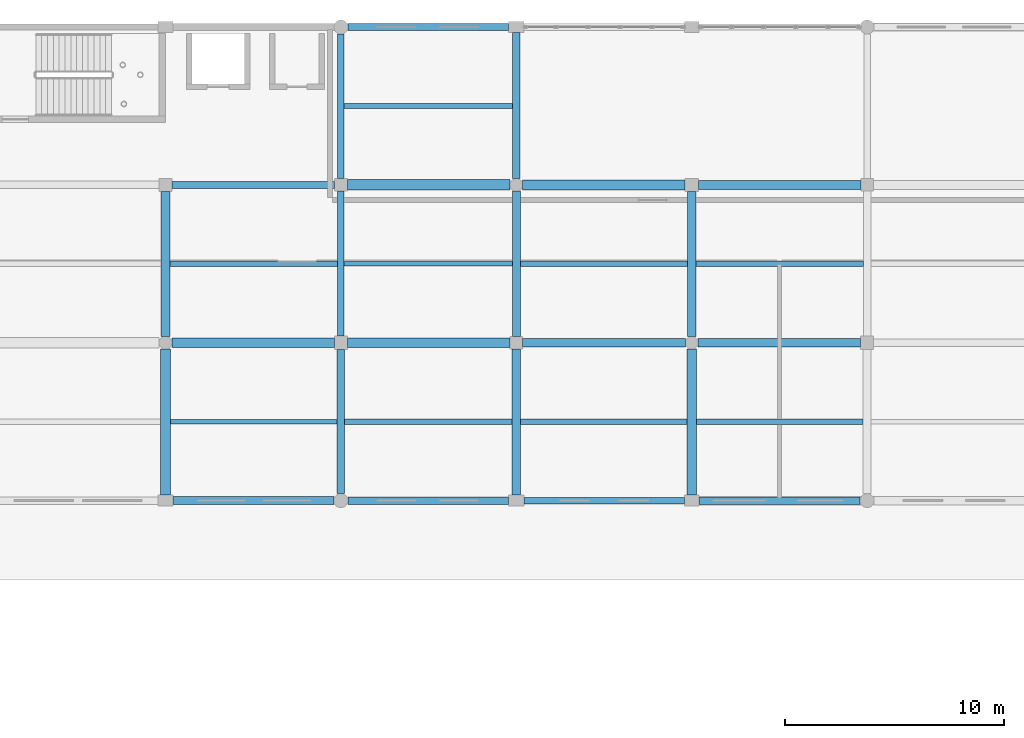
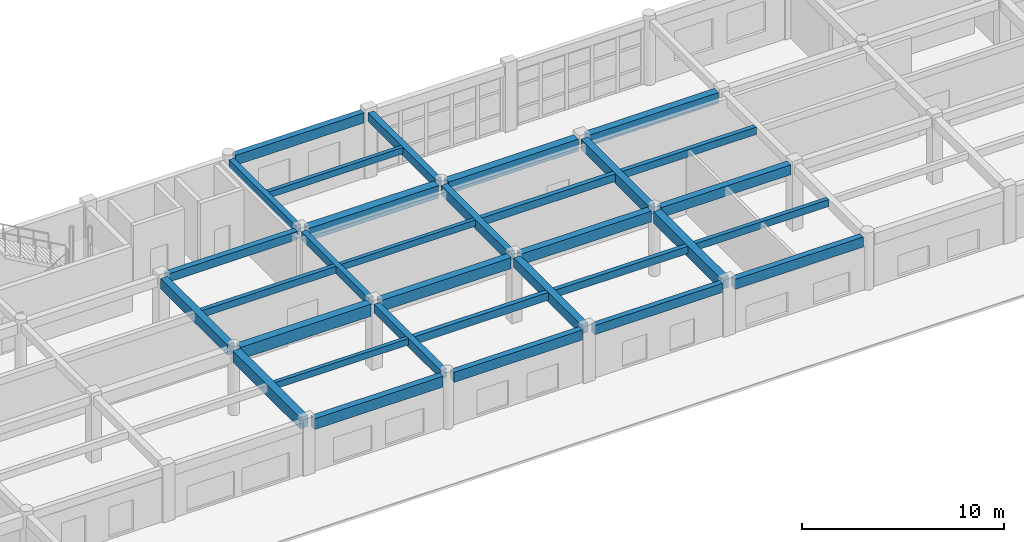
# One storey, part 60 of 121: 32 beams.
"""IFC4 building model written with IfcOpenShell, lengths in metres."""

from ifc_helpers import new_model, si_unit, direction, frame, origin, origin_2d, place, context, subcontext, project, spatial, rectangle, extrude, material, material_profile, profile_set, type_object, element, save


model = new_model("IFC4")

# Units and contexts
model_context = context("Model", 3, precision=1e-05, world=origin(), true_north=direction((0.0, 1.0)))
body_context = subcontext(model_context, "Body", "Model", "MODEL_VIEW")
ifc_project = project(units=[si_unit("LENGTHUNIT", "METRE"), si_unit("AREAUNIT", "SQUARE_METRE"), si_unit("VOLUMEUNIT", "CUBIC_METRE"), si_unit("PLANEANGLEUNIT", "RADIAN"), si_unit("MASSUNIT", "GRAM", prefix="KILO")], contexts=[model_context])

# Site, building, storey
site_placement = place(None, origin())
site = spatial("IfcSite", under=ifc_project, at=site_placement, CompositionType="ELEMENT")
building_placement = place(site_placement, origin())
building = spatial("IfcBuilding", under=site, at=building_placement, Name="Kharva Crest Polytechnic", CompositionType="ELEMENT")
storey_placement = place(building_placement, frame((0.0, 0.0, 13.199951171875)))
storey = spatial("IfcBuildingStorey", under=building, at=storey_placement, Name="L03", CompositionType="ELEMENT", Elevation=13.199951171875)

# Beams
ifc_material = material(Name="Concrete C35/45", Category="concrete")
ifc_material_profile_1 = material_profile(ifc_material, rectangle(XDim=0.300048828125, YDim=0.449951171875, at=origin_2d()), Name="RECT 300 X 450")
ifc_profile_set_1 = profile_set([ifc_material_profile_1], Name="Concrete C35/45")
beam_type_1 = type_object("IfcBeamType", Name="BM-RC-300X450", PredefinedType="BEAM", material=ifc_profile_set_1)
beam_1_placement = place(storey_placement, frame((72.0, 115.090087890625, 3.735107421875), z_axis=(0.0, 1.0, 0.0), x_axis=(-1.0, 0.0, 0.0)))
element("IfcBeam", 1, at=beam_1_placement, inside=storey, type_object=beam_type_1, Name="L03 Girder 10/R-S", PredefinedType="BEAM", context=body_context, shape_type="SweptSolid", body=[
    extrude(rectangle(XDim=0.300048828125, YDim=0.449951171875, at=origin_2d()), origin(), (0.0, 0.0, 1.0), 6.58984375),
])
ifc_material_profile_2 = material_profile(ifc_material, rectangle(XDim=0.300048828125, YDim=0.47998046875, at=origin_2d()), Name="RECT 300 X 480")
ifc_profile_set_2 = profile_set([ifc_material_profile_2], Name="Concrete C35/45")
beam_type_2 = type_object("IfcBeamType", Name="BM-RC-300X480", PredefinedType="BEAM", material=ifc_profile_set_2)
beam_2_placement = place(storey_placement, frame((72.0, 107.89990234375, 3.719970703125), z_axis=(0.0, 1.0, 0.0), x_axis=(-1.0, 0.0, 0.0)))
element("IfcBeam", 2, at=beam_2_placement, inside=storey, type_object=beam_type_2, Name="L03 Girder 10/Q-R", PredefinedType="BEAM", context=body_context, shape_type="SweptSolid", body=[
    extrude(rectangle(XDim=0.300048828125, YDim=0.47998046875, at=origin_2d()), origin(), (0.0, 0.0, 1.0), 6.610107421875),
])
ifc_material_profile_3 = material_profile(ifc_material, rectangle(XDim=0.320068359375, YDim=0.5, at=origin_2d()), Name="RECT 320 X 500")
ifc_profile_set_3 = profile_set([ifc_material_profile_3], Name="Concrete C35/45")
beam_type_3 = type_object("IfcBeamType", Name="BM-RC-320X500", PredefinedType="BEAM", material=ifc_profile_set_3)
beam_3_placement = place(storey_placement, frame((64.300048828125, 114.800048828125, 3.7099609375), z_axis=(1.0, 0.0, 0.0), x_axis=(0.0, 1.0, 0.0)))
element("IfcBeam", 3, at=beam_3_placement, inside=storey, type_object=beam_type_3, Name="L03 Beam R/9-10", PredefinedType="BEAM", context=body_context, shape_type="SweptSolid", body=[
    extrude(rectangle(XDim=0.320068359375, YDim=0.5, at=origin_2d()), origin(), (0.0, 0.0, 1.0), 7.409912109375),
])
ifc_material_profile_4 = material_profile(ifc_material, rectangle(XDim=0.340087890625, YDim=0.52001953125, at=origin_2d()), Name="RECT 340 X 520")
ifc_profile_set_4 = profile_set([ifc_material_profile_4], Name="Concrete C35/45")
beam_type_4 = type_object("IfcBeamType", Name="BM-RC-340X520", PredefinedType="BEAM", material=ifc_profile_set_4)
beam_4_placement = place(storey_placement, frame((72.0, 100.719970703125, 3.699951171875), z_axis=(0.0, 1.0, 0.0), x_axis=(-1.0, 0.0, 0.0)))
element("IfcBeam", 4, at=beam_4_placement, inside=storey, type_object=beam_type_4, Name="L03 Girder 10/P-Q", PredefinedType="BEAM", context=body_context, shape_type="SweptSolid", body=[
    extrude(rectangle(XDim=0.340087890625, YDim=0.52001953125, at=origin_2d()), origin(), (0.0, 0.0, 1.0), 6.580078125),
])
beam_5_placement = place(storey_placement, frame((80.0, 115.090087890625, 3.699951171875), z_axis=(0.0, 1.0, 0.0), x_axis=(-1.0, 0.0, 0.0)))
element("IfcBeam", 5, at=beam_5_placement, inside=storey, type_object=beam_type_4, Name="L03 Girder 11/R-S", PredefinedType="BEAM", context=body_context, shape_type="SweptSolid", body=[
    extrude(rectangle(XDim=0.340087890625, YDim=0.52001953125, at=origin_2d()), origin(), (0.0, 0.0, 1.0), 6.659912109375),
])
ifc_material_profile_5 = material_profile(ifc_material, rectangle(XDim=0.360107421875, YDim=0.580078125, at=origin_2d()), Name="RECT 360 X 580")
ifc_profile_set_5 = profile_set([ifc_material_profile_5], Name="Concrete C35/45")
beam_type_5 = type_object("IfcBeamType", Name="BM-RC-360X580", PredefinedType="BEAM", material=ifc_profile_set_5)
beam_6_placement = place(storey_placement, frame((80.0, 107.889892578125, 3.670166015625), z_axis=(0.0, 1.0, 0.0), x_axis=(-1.0, 0.0, 0.0)))
element("IfcBeam", 6, at=beam_6_placement, inside=storey, type_object=beam_type_5, Name="L03 Girder 11/Q-R", PredefinedType="BEAM", context=body_context, shape_type="SweptSolid", body=[
    extrude(rectangle(XDim=0.360107421875, YDim=0.580078125, at=origin_2d()), origin(), (0.0, 0.0, 1.0), 6.6201171875),
])
ifc_material_profile_6 = material_profile(ifc_material, rectangle(XDim=0.3798828125, YDim=0.60009765625, at=origin_2d()), Name="RECT 380 X 600")
ifc_profile_set_6 = profile_set([ifc_material_profile_6], Name="Concrete C35/45")
beam_type_6 = type_object("IfcBeamType", Name="BM-RC-380X600", PredefinedType="BEAM", material=ifc_profile_set_6)
beam_7_placement = place(storey_placement, frame((88.2900390625, 107.60009765625, 3.66015625), z_axis=(1.0, 0.0, 0.0), x_axis=(0.0, 1.0, 0.0)))
element("IfcBeam", 7, at=beam_7_placement, inside=storey, type_object=beam_type_6, Name="L03 Beam Q/12-13", PredefinedType="BEAM", context=body_context, shape_type="SweptSolid", body=[
    extrude(rectangle(XDim=0.3798828125, YDim=0.60009765625, at=origin_2d()), origin(), (0.0, 0.0, 1.0), 7.409912109375),
])
ifc_material_profile_7 = material_profile(ifc_material, rectangle(XDim=0.39990234375, YDim=0.580078125, at=origin_2d()), Name="RECT 400 X 580")
ifc_profile_set_7 = profile_set([ifc_material_profile_7], Name="Concrete C35/45")
beam_type_7 = type_object("IfcBeamType", Name="BM-RC-400X580", PredefinedType="BEAM", material=ifc_profile_set_7)
beam_8_placement = place(storey_placement, frame((80.0, 100.64990234375, 3.670166015625), z_axis=(0.0, 1.0, 0.0), x_axis=(-1.0, 0.0, 0.0)))
element("IfcBeam", 8, at=beam_8_placement, inside=storey, type_object=beam_type_7, Name="L03 Girder 11/P-Q", PredefinedType="BEAM", context=body_context, shape_type="SweptSolid", body=[
    extrude(rectangle(XDim=0.39990234375, YDim=0.580078125, at=origin_2d()), origin(), (0.0, 0.0, 1.0), 6.66015625),
])
ifc_material_profile_8 = material_profile(ifc_material, rectangle(XDim=0.39990234375, YDim=0.6201171875, at=origin_2d()), Name="RECT 400 X 620")
ifc_profile_set_8 = profile_set([ifc_material_profile_8], Name="Concrete C35/45")
beam_type_8 = type_object("IfcBeamType", Name="BM-RC-400X620", PredefinedType="BEAM", material=ifc_profile_set_8)
for number, where, z_axis, x_axis, name in (
    (9, (64.0, 107.889892578125, 3.650146484375), (0.0, 1.0, 0.0), (-1.0, 0.0, 0.0), "L03 Girder 9/Q-R"),
    (10, (88.0, 107.889892578125, 3.650146484375), (0.0, 1.0, 0.0), (-1.0, 0.0, 0.0), "L03 Girder 12/Q-R"),
):
    element("IfcBeam", number, at=place(storey_placement, frame(where, z_axis=z_axis, x_axis=x_axis)), inside=storey, type_object=beam_type_8, Name=name, PredefinedType="BEAM", context=body_context, shape_type="SweptSolid", body=[
        extrude(rectangle(XDim=0.39990234375, YDim=0.6201171875, at=origin_2d()), origin(), (0.0, 0.0, 1.0), 6.610107421875),
    ])
ifc_material_profile_9 = material_profile(ifc_material, rectangle(XDim=0.39990234375, YDim=0.64990234375, at=origin_2d()), Name="RECT 400 X 650")
ifc_profile_set_9 = profile_set([ifc_material_profile_9], Name="Concrete C35/45")
beam_type_9 = type_object("IfcBeamType", Name="BM-RC-400X650", PredefinedType="BEAM", material=ifc_profile_set_9)
beam_9_placement = place(storey_placement, frame((80.2900390625, 107.60009765625, 3.635009765625), z_axis=(1.0, 0.0, 0.0), x_axis=(0.0, 1.0, 0.0)))
element("IfcBeam", 11, at=beam_9_placement, inside=storey, type_object=beam_type_9, Name="L03 Beam Q/11-12", PredefinedType="BEAM", context=body_context, shape_type="SweptSolid", body=[
    extrude(rectangle(XDim=0.39990234375, YDim=0.64990234375, at=origin_2d()), origin(), (0.0, 0.0, 1.0), 7.419921875),
])
ifc_material_profile_10 = material_profile(ifc_material, rectangle(XDim=0.419921875, YDim=0.659912109375, at=origin_2d()), Name="RECT 420 X 660")
ifc_profile_set_10 = profile_set([ifc_material_profile_10], Name="Concrete C35/45")
beam_type_10 = type_object("IfcBeamType", Name="BM-RC-420X660", PredefinedType="BEAM", material=ifc_profile_set_10)
for number, where, z_axis, x_axis, name in (
    (12, (72.300048828125, 107.60009765625, 3.630126953125), (1.0, 0.0, 0.0), (0.0, 1.0, 0.0), "L03 Beam Q/10-11"),
    (13, (88.300048828125, 114.800048828125, 3.630126953125), (1.0, 0.0, 0.0), (0.0, 1.0, 0.0), "L03 Beam R/12-13"),
):
    element("IfcBeam", number, at=place(storey_placement, frame(where, z_axis=z_axis, x_axis=x_axis)), inside=storey, type_object=beam_type_10, Name=name, PredefinedType="BEAM", context=body_context, shape_type="SweptSolid", body=[
        extrude(rectangle(XDim=0.419921875, YDim=0.659912109375, at=origin_2d()), origin(), (0.0, 0.0, 1.0), 7.409912109375),
    ])
ifc_material_profile_11 = material_profile(ifc_material, rectangle(XDim=0.449951171875, YDim=0.679931640625, at=origin_2d()), Name="RECT 450 X 680")
ifc_profile_set_11 = profile_set([ifc_material_profile_11], Name="Concrete C35/45")
beam_type_11 = type_object("IfcBeamType", Name="BM-RC-450X680", PredefinedType="BEAM", material=ifc_profile_set_11)
for number, where, z_axis, x_axis, name in (
    (14, (64.0, 100.64990234375, 3.6201171875), (0.0, 1.0, 0.0), (-1.0, 0.0, 0.0), "L03 Girder 9/P-Q"),
    (15, (88.0, 100.64990234375, 3.6201171875), (0.0, 1.0, 0.0), (-1.0, 0.0, 0.0), "L03 Girder 12/P-Q"),
):
    element("IfcBeam", number, at=place(storey_placement, frame(where, z_axis=z_axis, x_axis=x_axis)), inside=storey, type_object=beam_type_11, Name=name, PredefinedType="BEAM", context=body_context, shape_type="SweptSolid", body=[
        extrude(rectangle(XDim=0.449951171875, YDim=0.679931640625, at=origin_2d()), origin(), (0.0, 0.0, 1.0), 6.66015625),
    ])
ifc_material_profile_12 = material_profile(ifc_material, rectangle(XDim=0.449951171875, YDim=0.719970703125, at=origin_2d()), Name="RECT 450 X 720")
ifc_profile_set_12 = profile_set([ifc_material_profile_12], Name="Concrete C35/45")
beam_type_12 = type_object("IfcBeamType", Name="BM-RC-450X720", PredefinedType="BEAM", material=ifc_profile_set_12)
for number, where, z_axis, x_axis, name in (
    (16, (64.2900390625, 107.60009765625, 3.60009765625), (1.0, 0.0, 0.0), (0.0, 1.0, 0.0), "L03 Beam Q/9-10"),
    (17, (80.2900390625, 114.800048828125, 3.60009765625), (1.0, 0.0, 0.0), (0.0, 1.0, 0.0), "L03 Beam R/11-12"),
):
    element("IfcBeam", number, at=place(storey_placement, frame(where, z_axis=z_axis, x_axis=x_axis)), inside=storey, type_object=beam_type_12, Name=name, PredefinedType="BEAM", context=body_context, shape_type="SweptSolid", body=[
        extrude(rectangle(XDim=0.449951171875, YDim=0.719970703125, at=origin_2d()), origin(), (0.0, 0.0, 1.0), 7.409912109375),
    ])
ifc_material_profile_13 = material_profile(ifc_material, rectangle(XDim=0.47998046875, YDim=0.75, at=origin_2d()), Name="RECT 480 X 750")
ifc_profile_set_13 = profile_set([ifc_material_profile_13], Name="Concrete C35/45")
beam_type_13 = type_object("IfcBeamType", Name="BM-RC-480X750", PredefinedType="BEAM", material=ifc_profile_set_13)
beam_10_placement = place(storey_placement, frame((72.2900390625, 114.800048828125, 3.5849609375), z_axis=(1.0, 0.0, 0.0), x_axis=(0.0, 1.0, 0.0)))
element("IfcBeam", 18, at=beam_10_placement, inside=storey, type_object=beam_type_13, Name="L03 Beam R/10-11", PredefinedType="BEAM", context=body_context, shape_type="SweptSolid", body=[
    extrude(rectangle(XDim=0.47998046875, YDim=0.75, at=origin_2d()), origin(), (0.0, 0.0, 1.0), 7.419921875),
])
ifc_material_profile_14 = material_profile(ifc_material, rectangle(XDim=0.219970703125, YDim=0.3798828125, at=origin_2d()), Name="RECT 220 X 380")
ifc_profile_set_14 = profile_set([ifc_material_profile_14], Name="Concrete C35/45")
beam_type_14 = type_object("IfcBeamType", Name="JS-RC-220X380", PredefinedType="JOIST", material=ifc_profile_set_14)
beam_11_placement = place(storey_placement, frame((64.22509765625, 104.0, 3.77001953125), z_axis=(1.0, 0.0, 0.0), x_axis=(0.0, 1.0, 0.0)))
element("IfcBeam", 19, at=beam_11_placement, inside=storey, type_object=beam_type_14, Name="L03 Floor Joist 19", PredefinedType="JOIST", context=body_context, shape_type="SweptSolid", body=[
    extrude(rectangle(XDim=0.219970703125, YDim=0.3798828125, at=origin_2d()), origin(), (0.0, 0.0, 1.0), 7.60498046875),
])
beam_12_placement = place(storey_placement, frame((72.14990234375, 111.199951171875, 3.77001953125), z_axis=(1.0, 0.0, 0.0), x_axis=(0.0, 1.0, 0.0)))
element("IfcBeam", 20, at=beam_12_placement, inside=storey, type_object=beam_type_14, Name="L03 Floor Joist 39", PredefinedType="JOIST", context=body_context, shape_type="SweptSolid", body=[
    extrude(rectangle(XDim=0.219970703125, YDim=0.3798828125, at=origin_2d()), origin(), (0.0, 0.0, 1.0), 7.670166015625),
])
beam_13_placement = place(storey_placement, frame((72.14990234375, 118.39990234375, 3.77001953125), z_axis=(1.0, 0.0, 0.0), x_axis=(0.0, 1.0, 0.0)))
element("IfcBeam", 21, at=beam_13_placement, inside=storey, type_object=beam_type_14, Name="L03 Floor Joist 55", PredefinedType="JOIST", context=body_context, shape_type="SweptSolid", body=[
    extrude(rectangle(XDim=0.219970703125, YDim=0.3798828125, at=origin_2d()), origin(), (0.0, 0.0, 1.0), 7.68017578125),
])
ifc_material_profile_15 = material_profile(ifc_material, rectangle(XDim=0.239990234375, YDim=0.419921875, at=origin_2d()), Name="RECT 240 X 420")
ifc_profile_set_15 = profile_set([ifc_material_profile_15], Name="Concrete C35/45")
beam_type_15 = type_object("IfcBeamType", Name="JS-RC-240X420", PredefinedType="JOIST", material=ifc_profile_set_15)
beam_14_placement = place(storey_placement, frame((88.22509765625, 104.0, 3.75), z_axis=(1.0, 0.0, 0.0), x_axis=(0.0, 1.0, 0.0)))
element("IfcBeam", 22, at=beam_14_placement, inside=storey, type_object=beam_type_15, Name="L03 Floor Joist 22", PredefinedType="JOIST", context=body_context, shape_type="SweptSolid", body=[
    extrude(rectangle(XDim=0.239990234375, YDim=0.419921875, at=origin_2d()), origin(), (0.0, 0.0, 1.0), 7.594970703125),
])
beam_15_placement = place(storey_placement, frame((64.199951171875, 111.199951171875, 3.75), z_axis=(1.0, 0.0, 0.0), x_axis=(0.0, 1.0, 0.0)))
element("IfcBeam", 23, at=beam_15_placement, inside=storey, type_object=beam_type_15, Name="L03 Floor Joist 38", PredefinedType="JOIST", context=body_context, shape_type="SweptSolid", body=[
    extrude(rectangle(XDim=0.239990234375, YDim=0.419921875, at=origin_2d()), origin(), (0.0, 0.0, 1.0), 7.650146484375),
])
ifc_material_profile_16 = material_profile(ifc_material, rectangle(XDim=0.25, YDim=0.43994140625, at=origin_2d()), Name="RECT 250 X 440")
ifc_profile_set_16 = profile_set([ifc_material_profile_16], Name="Concrete C35/45")
beam_type_16 = type_object("IfcBeamType", Name="JS-RC-250X440", PredefinedType="JOIST", material=ifc_profile_set_16)
beam_16_placement = place(storey_placement, frame((80.199951171875, 104.0, 3.739990234375), z_axis=(1.0, 0.0, 0.0), x_axis=(0.0, 1.0, 0.0)))
element("IfcBeam", 24, at=beam_16_placement, inside=storey, type_object=beam_type_16, Name="L03 Floor Joist 21", PredefinedType="JOIST", context=body_context, shape_type="SweptSolid", body=[
    extrude(rectangle(XDim=0.25, YDim=0.43994140625, at=origin_2d()), origin(), (0.0, 0.0, 1.0), 7.574951171875),
])
beam_17_placement = place(storey_placement, frame((88.199951171875, 111.199951171875, 3.739990234375), z_axis=(1.0, 0.0, 0.0), x_axis=(0.0, 1.0, 0.0)))
element("IfcBeam", 25, at=beam_17_placement, inside=storey, type_object=beam_type_16, Name="L03 Floor Joist 41", PredefinedType="JOIST", context=body_context, shape_type="SweptSolid", body=[
    extrude(rectangle(XDim=0.25, YDim=0.43994140625, at=origin_2d()), origin(), (0.0, 0.0, 1.0), 7.630126953125),
])
ifc_material_profile_17 = material_profile(ifc_material, rectangle(XDim=0.260009765625, YDim=0.4599609375, at=origin_2d()), Name="RECT 260 X 460")
ifc_profile_set_17 = profile_set([ifc_material_profile_17], Name="Concrete C35/45")
beam_type_17 = type_object("IfcBeamType", Name="JS-RC-260X460", PredefinedType="JOIST", material=ifc_profile_set_17)
beam_18_placement = place(storey_placement, frame((72.169921875, 104.0, 3.72998046875), z_axis=(1.0, 0.0, 0.0), x_axis=(0.0, 1.0, 0.0)))
element("IfcBeam", 26, at=beam_18_placement, inside=storey, type_object=beam_type_17, Name="L03 Floor Joist 20", PredefinedType="JOIST", context=body_context, shape_type="SweptSolid", body=[
    extrude(rectangle(XDim=0.260009765625, YDim=0.4599609375, at=origin_2d()), origin(), (0.0, 0.0, 1.0), 7.630126953125),
])
beam_19_placement = place(storey_placement, frame((80.179931640625, 111.199951171875, 3.72998046875), z_axis=(1.0, 0.0, 0.0), x_axis=(0.0, 1.0, 0.0)))
element("IfcBeam", 27, at=beam_19_placement, inside=storey, type_object=beam_type_17, Name="L03 Floor Joist 40", PredefinedType="JOIST", context=body_context, shape_type="SweptSolid", body=[
    extrude(rectangle(XDim=0.260009765625, YDim=0.4599609375, at=origin_2d()), origin(), (0.0, 0.0, 1.0), 7.6201171875),
])
ifc_material_profile_18 = material_profile(ifc_material, rectangle(XDim=0.300048828125, YDim=0.550048828125, at=origin_2d()), Name="RECT 300 X 550")
ifc_profile_set_18 = profile_set([ifc_material_profile_18], Name="Concrete C35/45")
beam_type_18 = type_object("IfcBeamType", Name="SP-RC-300X550", PredefinedType="SPANDREL", material=ifc_profile_set_18)
beam_20_placement = place(storey_placement, frame((80.35009765625, 100.39990234375, 3.68505859375), z_axis=(1.0, 0.0, 0.0), x_axis=(0.0, 1.0, 0.0)))
element("IfcBeam", 28, at=beam_20_placement, inside=storey, type_object=beam_type_18, Name="L03 Beam P/11-12", PredefinedType="SPANDREL", context=body_context, shape_type="SweptSolid", body=[
    extrude(rectangle(XDim=0.300048828125, YDim=0.550048828125, at=origin_2d()), origin(), (0.0, 0.0, 1.0), 7.309814453125),
])
ifc_material_profile_19 = material_profile(ifc_material, rectangle(XDim=0.340087890625, YDim=0.60009765625, at=origin_2d()), Name="RECT 340 X 600")
ifc_profile_set_19 = profile_set([ifc_material_profile_19], Name="Concrete C35/45")
beam_type_19 = type_object("IfcBeamType", Name="SP-RC-340X600", PredefinedType="SPANDREL", material=ifc_profile_set_19)
beam_21_placement = place(storey_placement, frame((72.320068359375, 100.39990234375, 3.66015625), z_axis=(1.0, 0.0, 0.0), x_axis=(0.0, 1.0, 0.0)))
element("IfcBeam", 29, at=beam_21_placement, inside=storey, type_object=beam_type_19, Name="L03 Beam P/10-11", PredefinedType="SPANDREL", context=body_context, shape_type="SweptSolid", body=[
    extrude(rectangle(XDim=0.340087890625, YDim=0.60009765625, at=origin_2d()), origin(), (0.0, 0.0, 1.0), 7.329833984375),
])
beam_22_placement = place(storey_placement, frame((88.340087890625, 100.39990234375, 3.66015625), z_axis=(1.0, 0.0, 0.0), x_axis=(0.0, 1.0, 0.0)))
element("IfcBeam", 30, at=beam_22_placement, inside=storey, type_object=beam_type_19, Name="L03 Beam P/12-13", PredefinedType="SPANDREL", context=body_context, shape_type="SweptSolid", body=[
    extrude(rectangle(XDim=0.340087890625, YDim=0.60009765625, at=origin_2d()), origin(), (0.0, 0.0, 1.0), 7.33984375),
])
beam_23_placement = place(storey_placement, frame((72.320068359375, 122.0, 3.66015625), z_axis=(1.0, 0.0, 0.0), x_axis=(0.0, 1.0, 0.0)))
element("IfcBeam", 31, at=beam_23_placement, inside=storey, type_object=beam_type_19, Name="L03 Beam S/10-11", PredefinedType="SPANDREL", context=body_context, shape_type="SweptSolid", body=[
    extrude(rectangle(XDim=0.340087890625, YDim=0.60009765625, at=origin_2d()), origin(), (0.0, 0.0, 1.0), 7.329833984375),
])
ifc_material_profile_20 = material_profile(ifc_material, rectangle(XDim=0.360107421875, YDim=0.64990234375, at=origin_2d()), Name="RECT 360 X 650")
ifc_profile_set_20 = profile_set([ifc_material_profile_20], Name="Concrete C35/45")
beam_type_20 = type_object("IfcBeamType", Name="SP-RC-360X650", PredefinedType="SPANDREL", material=ifc_profile_set_20)
beam_24_placement = place(storey_placement, frame((64.340087890625, 100.39990234375, 3.635009765625), z_axis=(1.0, 0.0, 0.0), x_axis=(0.0, 1.0, 0.0)))
element("IfcBeam", 32, at=beam_24_placement, inside=storey, type_object=beam_type_20, Name="L03 Beam P/9-10", PredefinedType="SPANDREL", context=body_context, shape_type="SweptSolid", body=[
    extrude(rectangle(XDim=0.360107421875, YDim=0.64990234375, at=origin_2d()), origin(), (0.0, 0.0, 1.0), 7.33984375),
])

save(model, "model.ifc")
